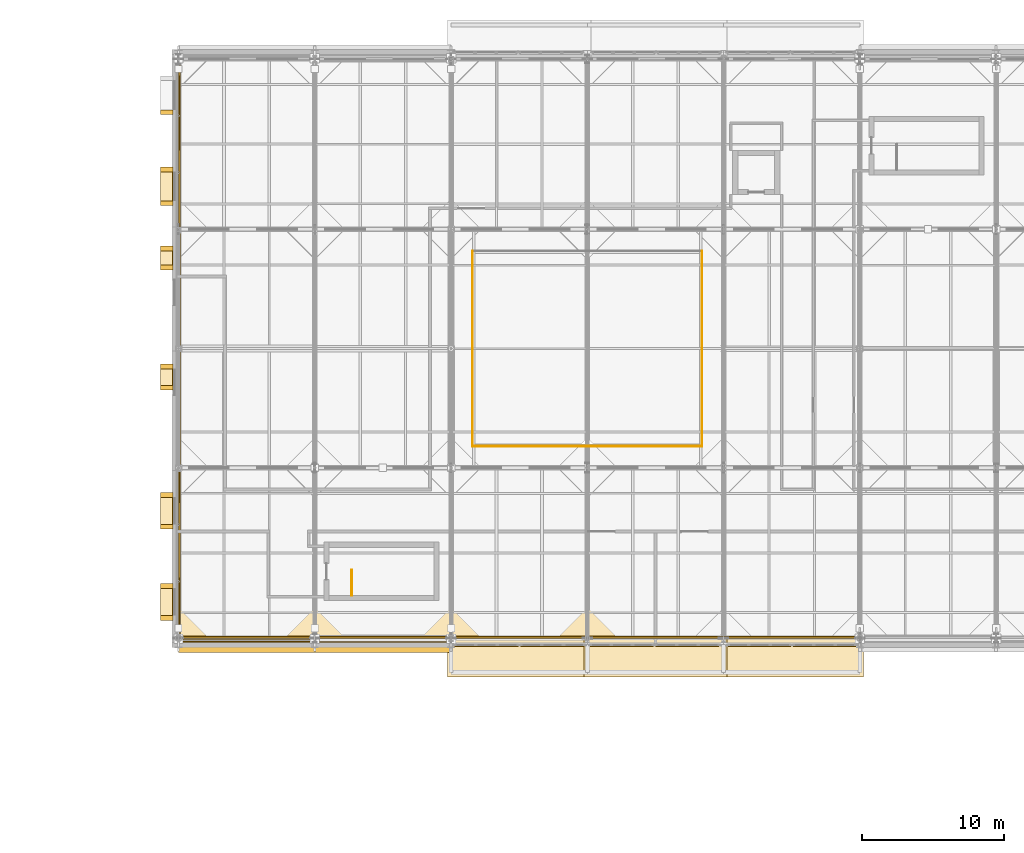
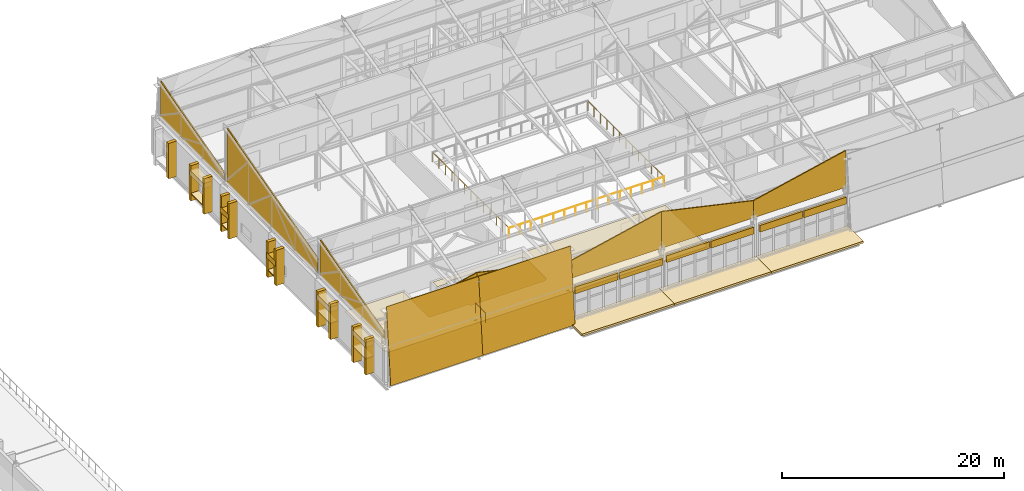
# One storey, part 87 of 89: 41 coverings, 5 railings.
"""IFC4 building model written with IfcOpenShell, lengths in metres."""

from ifc_helpers import new_model, si_unit, direction, frame, origin, origin_2d, place, context, subcontext, project, spatial, polyline, rectangle, circle, outline, extrude, material, layer, layer_set, type_object, element, save


model = new_model("IFC4")

# Units and contexts
model_context = context("Model", 3, precision=1e-05, world=origin(), true_north=direction((0.0, 1.0)))
body_context = subcontext(model_context, "Body", "Model", "MODEL_VIEW")
ifc_project = project(units=[si_unit("LENGTHUNIT", "METRE"), si_unit("AREAUNIT", "SQUARE_METRE"), si_unit("VOLUMEUNIT", "CUBIC_METRE"), si_unit("PLANEANGLEUNIT", "RADIAN"), si_unit("MASSUNIT", "GRAM", prefix="KILO")], contexts=[model_context])

# Site, building, storey
site_placement = place(None, origin())
site = spatial("IfcSite", under=ifc_project, at=site_placement, CompositionType="ELEMENT")
building_placement = place(site_placement, origin())
building = spatial("IfcBuilding", under=site, at=building_placement, Name="Zereglee Splitstone Museum", CompositionType="ELEMENT")
storey_placement = place(building_placement, frame((0.0, 0.0, 21.300048828125)))
storey = spatial("IfcBuildingStorey", under=building, at=storey_placement, Name="L04", CompositionType="ELEMENT", Elevation=21.300048828125)

# Coverings
ifc_material_1 = material(Name="Siberian larch acoustic timber ceiling", Category="wood")
ifc_layer_1 = layer(ifc_material_1, 0.06005859375)
ifc_layer_set_1 = layer_set([ifc_layer_1], Name="Siberian larch acoustic timber ceiling")
covering_type_1 = type_object("IfcCoveringType", Name="CLG-01", PredefinedType="CEILING", material=ifc_layer_set_1)
covering_1_placement = place(storey_placement, frame((0.0, 0.0, 2.77001953125)))
element("IfcCovering", 1, at=covering_1_placement, inside=storey, type_object=covering_type_1, Name="Acoustic Ceiling L04-055", PredefinedType="CEILING", context=body_context, shape_type="SweptSolid", body=[
    extrude(outline(polyline([(87.280029296875, 17.02001953125), (111.5, 17.02001953125), (111.5, 9.4599609375), (106.9580078125, 9.4599609375), (106.9580078125, 9.758056640625), (106.64208984375, 9.758056640625), (106.64208984375, 9.4599609375), (97.21484375, 9.4599609375), (97.21484375, 9.76806640625), (97.35791015625, 9.76806640625), (97.35791015625, 9.80810546875), (97.0419921875, 9.80810546875), (97.0419921875, 9.76806640625), (97.185302734375, 9.76806640625), (97.185302734375, 9.4599609375), (87.615966796875, 9.4599609375), (87.615966796875, 9.885986328125), (87.758056640625, 9.885986328125), (87.758056640625, 9.93310546875), (87.44189453125, 9.93310546875), (87.44189453125, 9.885986328125), (87.583984375, 9.885986328125), (87.583984375, 9.4599609375), (78.189697265625, 9.4599609375), (78.196533203125, 9.468505859375), (78.218505859375, 9.509521484375), (78.23193359375, 9.553955078125), (78.236572265625, 9.60009765625), (78.23193359375, 9.64599609375), (78.218505859375, 9.6904296875), (78.196533203125, 9.7314453125), (78.167236328125, 9.76708984375), (78.13134765625, 9.796630859375), (78.090576171875, 9.818603515625), (78.06005859375, 9.827880859375), (78.06005859375, 17.02001953125), (84.219970703125, 17.02001953125), (84.219970703125, 12.60009765625), (84.219970703125, 12.59912109375), (84.220703125, 12.583251953125), (84.220947265625, 12.581298828125), (84.223388671875, 12.56591796875), (84.2236328125, 12.56396484375), (84.2275390625, 12.548583984375), (84.22802734375, 12.546875), (84.2333984375, 12.531982421875), (84.234130859375, 12.5302734375), (84.24072265625, 12.51611328125), (84.24169921875, 12.514404296875), (84.249755859375, 12.500732421875), (84.2509765625, 12.499267578125), (84.26025390625, 12.486572265625), (84.261474609375, 12.485107421875), (84.27197265625, 12.473388671875), (84.2734375, 12.471923828125), (84.28515625, 12.46142578125), (84.28662109375, 12.460205078125), (84.29931640625, 12.450927734375), (84.30078125, 12.44970703125), (84.314208984375, 12.441650390625), (84.31591796875, 12.44091796875), (84.330078125, 12.43408203125), (84.33203125, 12.433349609375), (84.3466796875, 12.427978515625), (84.3486328125, 12.427490234375), (84.364013671875, 12.423583984375), (84.365966796875, 12.42333984375), (84.38134765625, 12.4208984375), (84.38330078125, 12.4208984375), (84.39892578125, 12.419921875), (84.39990234375, 12.419921875), (88.22119140625, 12.419921875), (88.2294921875, 12.402099609375), (88.250732421875, 12.36669921875), (88.275390625, 12.33349609375), (88.302978515625, 12.302978515625), (88.33349609375, 12.275390625), (88.36669921875, 12.250732421875), (88.402099609375, 12.2294921875), (88.439208984375, 12.2119140625), (88.47802734375, 12.197998046875), (88.51806640625, 12.18798828125), (88.558837890625, 12.181884765625), (88.60009765625, 12.179931640625), (96.0, 12.179931640625), (96.041259765625, 12.181884765625), (96.081787109375, 12.18798828125), (96.121826171875, 12.197998046875), (96.16064453125, 12.2119140625), (96.197998046875, 12.2294921875), (96.2333984375, 12.250732421875), (96.266357421875, 12.275390625), (96.297119140625, 12.302978515625), (96.32470703125, 12.33349609375), (96.34912109375, 12.36669921875), (96.370361328125, 12.402099609375), (96.387939453125, 12.439208984375), (96.40185546875, 12.47802734375), (96.411865234375, 12.51806640625), (96.41796875, 12.558837890625), (96.419921875, 12.60009765625), (96.419921875, 16.0), (96.41796875, 16.041259765625), (96.411865234375, 16.081787109375), (96.40185546875, 16.121826171875), (96.387939453125, 16.16064453125), (96.370361328125, 16.197998046875), (96.34912109375, 16.2333984375), (96.32470703125, 16.266357421875), (96.297119140625, 16.297119140625), (96.266357421875, 16.32470703125), (96.2333984375, 16.34912109375), (96.197998046875, 16.370361328125), (96.16064453125, 16.387939453125), (96.121826171875, 16.40185546875), (96.081787109375, 16.411865234375), (96.041259765625, 16.41796875), (96.0, 16.419921875), (88.60009765625, 16.419921875), (88.558837890625, 16.41796875), (88.51806640625, 16.411865234375), (88.47802734375, 16.40185546875), (88.439208984375, 16.387939453125), (88.402099609375, 16.370361328125), (88.36669921875, 16.34912109375), (88.33349609375, 16.32470703125), (88.302978515625, 16.297119140625), (88.275390625, 16.266357421875), (88.250732421875, 16.2333984375), (88.2294921875, 16.197998046875), (88.22119140625, 16.179931640625), (87.280029296875, 16.179931640625), (87.280029296875, 17.02001953125)])), origin(), (0.0, 0.0, 1.0), 0.059814453125),
])
ifc_material_2 = material(Name="Honed Gobi pale limestone stringcourse and soffit cladding", Category="masonry")
ifc_layer_2 = layer(ifc_material_2, 0.070068359375)
ifc_layer_set_2 = layer_set([ifc_layer_2], Name="Honed Gobi pale limestone stringcourse and soffit cladding")
covering_type_2 = type_object("IfcCoveringType", Name="CL-02", PredefinedType="CLADDING", material=ifc_layer_set_2)
for number, where, z_axis, x_axis, name in (
    (2, (99.696533203125, 9.1201171875, 2.804931640625), (0.0, 0.0, 1.0), (1.0, 0.0, 0.0), "Mughal Carved Clerestory Jaali Frieze RC4-CW-L04-122-1"),
    (3, (104.353515625, 9.1201171875, 2.784912109375), (0.0, 0.0, 1.0), (1.0, 0.0, 0.0), "Mughal Carved Clerestory Jaali Frieze RC4-CW-L04-122-2"),
):
    element("IfcCovering", number, at=place(storey_placement, frame(where, z_axis=z_axis, x_axis=x_axis)), inside=storey, type_object=covering_type_2, Name=name, PredefinedType="CLADDING", context=body_context, shape_type="SweptSolid", body=[
        extrude(rectangle(XDim=4.5, YDim=0.239990234375, at=origin_2d()), origin(), (0.0, 0.0, 1.0), 0.75),
    ])
for number, where, z_axis, x_axis, name in (
    (4, (109.227783203125, 9.1201171875, 2.925048828125), (0.0, 0.0, 1.0), (1.0, 0.0, 0.0), "Mughal Carved Clerestory Jaali Frieze RC4-CW-L04-123-1"),
    (5, (113.847412109375, 9.1201171875, 2.905029296875), (0.0, 0.0, 1.0), (1.0, 0.0, 0.0), "Mughal Carved Clerestory Jaali Frieze RC4-CW-L04-123-2"),
):
    element("IfcCovering", number, at=place(storey_placement, frame(where, z_axis=z_axis, x_axis=x_axis)), inside=storey, type_object=covering_type_2, Name=name, PredefinedType="CLADDING", context=body_context, shape_type="SweptSolid", body=[
        extrude(rectangle(XDim=4.4599609375, YDim=0.239990234375, at=origin_2d()), origin(), (0.0, 0.0, 1.0), 0.75),
    ])
for number, where, z_axis, x_axis, name in (
    (6, (118.93310546875, 9.1201171875, 2.864990234375), (0.0, 0.0, 1.0), (1.0, 0.0, 0.0), "Mughal Carved Clerestory Jaali Frieze RC4-CW-L04-124-1"),
    (7, (123.513427734375, 9.1201171875, 2.844970703125), (0.0, 0.0, 1.0), (1.0, 0.0, 0.0), "Mughal Carved Clerestory Jaali Frieze RC4-CW-L04-124-2"),
):
    element("IfcCovering", number, at=place(storey_placement, frame(where, z_axis=z_axis, x_axis=x_axis)), inside=storey, type_object=covering_type_2, Name=name, PredefinedType="CLADDING", context=body_context, shape_type="SweptSolid", body=[
        extrude(rectangle(XDim=4.419921875, YDim=0.239990234375, at=origin_2d()), origin(), (0.0, 0.0, 1.0), 0.75),
    ])
for number, where, z_axis, x_axis, name in (
    (8, (77.175048828125, 46.655029296875, 0.0), (0.0, 0.0, 1.0), (0.0, -1.0, 0.0), "Mughal Window Reveal Stone Pilaster L04-0147R"),
    (9, (77.175048828125, 42.625, 0.0), (0.0, 0.0, 1.0), (0.0, -1.0, 0.0), "Mughal Window Reveal Stone Pilaster L04-0148L"),
    (10, (77.175048828125, 40.235107421875, 0.0), (0.0, 0.0, 1.0), (0.0, -1.0, 0.0), "Mughal Window Reveal Stone Pilaster L04-0148R"),
):
    element("IfcCovering", number, at=place(storey_placement, frame(where, z_axis=z_axis, x_axis=x_axis)), inside=storey, type_object=covering_type_2, Name=name, PredefinedType="CLADDING", context=body_context, shape_type="SweptSolid", body=[
        extrude(rectangle(XDim=0.340087890625, YDim=0.860107421875, at=origin_2d()), origin(), (0.0, 0.0, 1.0), 3.89990234375),
    ])
covering_2_placement = place(storey_placement, frame((77.1650390625, 41.429931640625, 0.760009765625), z_axis=(0.0, 0.0, 1.0), x_axis=(0.0, -1.0, 0.0)))
element("IfcCovering", 11, at=covering_2_placement, inside=storey, type_object=covering_type_2, Name="Carved Limestone Window Sill L04-0148", PredefinedType="CLADDING", context=body_context, shape_type="SweptSolid", body=[
    extrude(rectangle(XDim=2.590087890625, YDim=0.840087890625, at=origin_2d()), origin(), (0.0, 0.0, 1.0), 0.1201171875),
])
for number, where, z_axis, x_axis, name in (
    (12, (77.175048828125, 37.06005859375, 0.0), (0.0, 0.0, 1.0), (0.0, -1.0, 0.0), "Mughal Window Reveal Stone Pilaster L04-0149L"),
    (13, (77.175048828125, 35.719970703125, 0.0), (0.0, 0.0, 1.0), (0.0, -1.0, 0.0), "Mughal Window Reveal Stone Pilaster L04-0149R"),
):
    element("IfcCovering", number, at=place(storey_placement, frame(where, z_axis=z_axis, x_axis=x_axis)), inside=storey, type_object=covering_type_2, Name=name, PredefinedType="CLADDING", context=body_context, shape_type="SweptSolid", body=[
        extrude(rectangle(XDim=0.340087890625, YDim=0.860107421875, at=origin_2d()), origin(), (0.0, 0.0, 1.0), 3.89990234375),
    ])
covering_3_placement = place(storey_placement, frame((77.1650390625, 36.389892578125, 0.760009765625), z_axis=(0.0, 0.0, 1.0), x_axis=(0.0, -1.0, 0.0)))
element("IfcCovering", 14, at=covering_3_placement, inside=storey, type_object=covering_type_2, Name="Carved Limestone Window Sill L04-0149", PredefinedType="CLADDING", context=body_context, shape_type="SweptSolid", body=[
    extrude(rectangle(XDim=1.5400390625, YDim=0.840087890625, at=origin_2d()), origin(), (0.0, 0.0, 1.0), 0.1201171875),
])
for number, where, z_axis, x_axis, name in (
    (15, (77.175048828125, 28.735107421875, 0.0), (0.0, 0.0, 1.0), (0.0, -1.0, 0.0), "Mughal Window Reveal Stone Pilaster L04-0150L"),
    (16, (77.175048828125, 27.2451171875, 0.0), (0.0, 0.0, 1.0), (0.0, -1.0, 0.0), "Mughal Window Reveal Stone Pilaster L04-0150R"),
):
    element("IfcCovering", number, at=place(storey_placement, frame(where, z_axis=z_axis, x_axis=x_axis)), inside=storey, type_object=covering_type_2, Name=name, PredefinedType="CLADDING", context=body_context, shape_type="SweptSolid", body=[
        extrude(rectangle(XDim=0.340087890625, YDim=0.860107421875, at=origin_2d()), origin(), (0.0, 0.0, 1.0), 3.89990234375),
    ])
covering_4_placement = place(storey_placement, frame((77.1650390625, 27.989990234375, 0.760009765625), z_axis=(0.0, 0.0, 1.0), x_axis=(0.0, -1.0, 0.0)))
element("IfcCovering", 17, at=covering_4_placement, inside=storey, type_object=covering_type_2, Name="Carved Limestone Window Sill L04-0150", PredefinedType="CLADDING", context=body_context, shape_type="SweptSolid", body=[
    extrude(rectangle(XDim=1.68994140625, YDim=0.840087890625, at=origin_2d()), origin(), (0.0, 0.0, 1.0), 0.1201171875),
])
for number, where, z_axis, x_axis, name in (
    (18, (77.175048828125, 19.68994140625, 0.0), (0.0, 0.0, 1.0), (0.0, -1.0, 0.0), "Mughal Window Reveal Stone Pilaster L04-0151L"),
    (19, (77.175048828125, 17.449951171875, 0.0), (0.0, 0.0, 1.0), (0.0, -1.0, 0.0), "Mughal Window Reveal Stone Pilaster L04-0151R"),
):
    element("IfcCovering", number, at=place(storey_placement, frame(where, z_axis=z_axis, x_axis=x_axis)), inside=storey, type_object=covering_type_2, Name=name, PredefinedType="CLADDING", context=body_context, shape_type="SweptSolid", body=[
        extrude(rectangle(XDim=0.340087890625, YDim=0.860107421875, at=origin_2d()), origin(), (0.0, 0.0, 1.0), 3.89990234375),
    ])
covering_5_placement = place(storey_placement, frame((77.1650390625, 18.570068359375, 1.659912109375), z_axis=(0.0, 0.0, 1.0), x_axis=(0.0, -1.0, 0.0)))
element("IfcCovering", 20, at=covering_5_placement, inside=storey, type_object=covering_type_2, Name="Carved Limestone Window Sill L04-0151", PredefinedType="CLADDING", context=body_context, shape_type="SweptSolid", body=[
    extrude(rectangle(XDim=2.43994140625, YDim=0.840087890625, at=origin_2d()), origin(), (0.0, 0.0, 1.0), 0.1201171875),
])
for number, where, z_axis, x_axis, name in (
    (21, (77.175048828125, 13.27001953125, 0.0), (0.0, 0.0, 1.0), (0.0, -1.0, 0.0), "Mughal Window Reveal Stone Pilaster L04-0152L"),
    (22, (77.175048828125, 11.030029296875, 0.0), (0.0, 0.0, 1.0), (0.0, -1.0, 0.0), "Mughal Window Reveal Stone Pilaster L04-0152R"),
):
    element("IfcCovering", number, at=place(storey_placement, frame(where, z_axis=z_axis, x_axis=x_axis)), inside=storey, type_object=covering_type_2, Name=name, PredefinedType="CLADDING", context=body_context, shape_type="SweptSolid", body=[
        extrude(rectangle(XDim=0.340087890625, YDim=0.860107421875, at=origin_2d()), origin(), (0.0, 0.0, 1.0), 3.89990234375),
    ])
covering_6_placement = place(storey_placement, frame((77.1650390625, 12.14990234375, 1.659912109375), z_axis=(0.0, 0.0, 1.0), x_axis=(0.0, -1.0, 0.0)))
element("IfcCovering", 23, at=covering_6_placement, inside=storey, type_object=covering_type_2, Name="Carved Limestone Window Sill L04-0152", PredefinedType="CLADDING", context=body_context, shape_type="SweptSolid", body=[
    extrude(rectangle(XDim=2.43994140625, YDim=0.840087890625, at=origin_2d()), origin(), (0.0, 0.0, 1.0), 0.1201171875),
])
ifc_material_3 = material(Name="Honed Khoroo red sandstone ventilated rainscreen", Category="masonry")
ifc_layer_3 = layer(ifc_material_3, 0.080078125)
ifc_layer_set_3 = layer_set([ifc_layer_3], Name="Honed Khoroo red sandstone ventilated rainscreen")
covering_type_3 = type_object("IfcCoveringType", Name="CL-01", PredefinedType="CLADDING", material=ifc_layer_set_3)
covering_7_placement = place(storey_placement, frame((77.1650390625, 41.429931640625, 2.760009765625), z_axis=(0.0, 0.0, 1.0), x_axis=(0.0, -1.0, 0.0)))
element("IfcCovering", 24, at=covering_7_placement, inside=storey, type_object=covering_type_3, Name="Pointed-Arch Mughal Window Hood L04-0148", PredefinedType="CLADDING", context=body_context, shape_type="SweptSolid", body=[
    extrude(rectangle(XDim=2.590087890625, YDim=0.860107421875, at=origin_2d()), origin(), (0.0, 0.0, 1.0), 0.580078125),
])
covering_8_placement = place(storey_placement, frame((77.1650390625, 36.389892578125, 2.059814453125), z_axis=(0.0, 0.0, 1.0), x_axis=(0.0, -1.0, 0.0)))
element("IfcCovering", 25, at=covering_8_placement, inside=storey, type_object=covering_type_3, Name="Pointed-Arch Mughal Window Hood L04-0149", PredefinedType="CLADDING", context=body_context, shape_type="SweptSolid", body=[
    extrude(rectangle(XDim=1.5400390625, YDim=0.860107421875, at=origin_2d()), origin(), (0.0, 0.0, 1.0), 0.580078125),
])
covering_9_placement = place(storey_placement, frame((77.1650390625, 27.989990234375, 2.059814453125), z_axis=(0.0, 0.0, 1.0), x_axis=(0.0, -1.0, 0.0)))
element("IfcCovering", 26, at=covering_9_placement, inside=storey, type_object=covering_type_3, Name="Pointed-Arch Mughal Window Hood L04-0150", PredefinedType="CLADDING", context=body_context, shape_type="SweptSolid", body=[
    extrude(rectangle(XDim=1.68994140625, YDim=0.860107421875, at=origin_2d()), origin(), (0.0, 0.0, 1.0), 0.580078125),
])
for number, where, z_axis, x_axis, name in (
    (27, (77.1650390625, 18.570068359375, 2.9599609375), (0.0, 0.0, 1.0), (0.0, -1.0, 0.0), "Pointed-Arch Mughal Window Hood L04-0151"),
    (28, (77.1650390625, 12.14990234375, 2.9599609375), (0.0, 0.0, 1.0), (0.0, -1.0, 0.0), "Pointed-Arch Mughal Window Hood L04-0152"),
):
    element("IfcCovering", number, at=place(storey_placement, frame(where, z_axis=z_axis, x_axis=x_axis)), inside=storey, type_object=covering_type_3, Name=name, PredefinedType="CLADDING", context=body_context, shape_type="SweptSolid", body=[
        extrude(rectangle(XDim=2.43994140625, YDim=0.860107421875, at=origin_2d()), origin(), (0.0, 0.0, 1.0), 0.580078125),
    ])
covering_10_placement = place(storey_placement, frame((78.0, 8.576904296875, -0.25), z_axis=(0.0, -0.995858590986, 0.090915712393), x_axis=(1.0, 0.0, 0.0)))
element("IfcCovering", 29, at=covering_10_placement, inside=storey, type_object=covering_type_3, Name="Split-Rock Continuous Inclined Facet FH-V2SW L04.1", PredefinedType="CLADDING", context=body_context, shape_type="SweptSolid", body=[
    extrude(outline(polyline([(0.0, 0.0), (9.60009765625, 0.0), (9.60009765625, 8.284308710771978), (0.0, 8.284308710771978), (0.0, 0.0)])), origin(), (0.0, 0.0, -1.0), 0.080078125),
])
covering_11_placement = place(storey_placement, frame((87.60009765625, 8.576904296875, -0.25), z_axis=(0.0, -0.995858590986, 0.090915712393), x_axis=(1.0, 0.0, 0.0)))
element("IfcCovering", 30, at=covering_11_placement, inside=storey, type_object=covering_type_3, Name="Split-Rock Continuous Inclined Facet FH-V2SW L04.2", PredefinedType="CLADDING", context=body_context, shape_type="SweptSolid", body=[
    extrude(outline(polyline([(0.0, 0.0), (9.599853515625, 0.0), (9.599853515625, 8.284308710771978), (0.0, 8.284308710771978), (0.0, 0.0)])), origin(), (0.0, 0.0, -1.0), 0.080078125),
])
covering_12_placement = place(storey_placement, frame((78.0, 9.60009765625, 4.199951171875), z_axis=(0.0, -1.0, 0.0), x_axis=(1.0, 0.0, 0.0)))
element("IfcCovering", 31, at=covering_12_placement, inside=storey, type_object=covering_type_3, Name="Sawtooth Split-Rock Cheek Cladding S Bay 1", PredefinedType="CLADDING", context=body_context, shape_type="SweptSolid", body=[
    extrude(outline(polyline([(0.0, 0.0), (9.60009765625, 0.0), (9.60009765625, 4.050048828125), (0.0, 1.89990234375), (0.0, 0.0)])), origin(), (0.0, 0.0, -1.0), 0.1201171875),
])
covering_13_placement = place(storey_placement, frame((87.60009765625, 9.60009765625, 4.199951171875), z_axis=(0.0, -1.0, 0.0), x_axis=(1.0, 0.0, 0.0)))
element("IfcCovering", 32, at=covering_13_placement, inside=storey, type_object=covering_type_3, Name="Sawtooth Split-Rock Cheek Cladding S Bay 2", PredefinedType="CLADDING", context=body_context, shape_type="SweptSolid", body=[
    extrude(outline(polyline([(0.0, 0.0), (9.599853515625, 0.0), (9.599853515625, 1.89990234375), (0.0, 4.050048828125), (0.0, 0.0)])), origin(), (0.0, 0.0, -1.0), 0.1201171875),
])
covering_14_placement = place(storey_placement, frame((97.199951171875, 9.60009765625, 4.199951171875), z_axis=(0.0, -1.0, 0.0), x_axis=(1.0, 0.0, 0.0)))
element("IfcCovering", 33, at=covering_14_placement, inside=storey, type_object=covering_type_3, Name="Sawtooth Split-Rock Cheek Cladding S Bay 3", PredefinedType="CLADDING", context=body_context, shape_type="SweptSolid", body=[
    extrude(outline(polyline([(0.0, 0.0), (9.60009765625, 0.0), (9.60009765625, 4.050048828125), (0.0, 1.89990234375), (0.0, 0.0)])), origin(), (0.0, 0.0, -1.0), 0.1201171875),
])
covering_15_placement = place(storey_placement, frame((106.800048828125, 9.60009765625, 4.199951171875), z_axis=(0.0, -1.0, 0.0), x_axis=(1.0, 0.0, 0.0)))
element("IfcCovering", 34, at=covering_15_placement, inside=storey, type_object=covering_type_3, Name="Sawtooth Split-Rock Cheek Cladding S Bay 4", PredefinedType="CLADDING", context=body_context, shape_type="SweptSolid", body=[
    extrude(outline(polyline([(0.0, 0.0), (9.599853515625, 0.0), (9.599853515625, 1.89990234375), (0.0, 4.050048828125), (0.0, 0.0)])), origin(), (0.0, 0.0, -1.0), 0.1201171875),
])
covering_16_placement = place(storey_placement, frame((116.39990234375, 9.60009765625, 4.199951171875), z_axis=(0.0, -1.0, 0.0), x_axis=(1.0, 0.0, 0.0)))
element("IfcCovering", 35, at=covering_16_placement, inside=storey, type_object=covering_type_3, Name="Sawtooth Split-Rock Cheek Cladding S Bay 5", PredefinedType="CLADDING", context=body_context, shape_type="SweptSolid", body=[
    extrude(outline(polyline([(0.0, 0.0), (9.60009765625, 0.0), (9.60009765625, 4.050048828125), (0.0, 1.89990234375), (0.0, 0.0)])), origin(), (0.0, 0.0, -1.0), 0.1201171875),
])
covering_17_placement = place(storey_placement, frame((78.0, 9.75, 4.919921875), z_axis=(-1.0, 0.0, 0.0), x_axis=(0.0, 0.963698337912, 0.266993470904)))
element("IfcCovering", 36, at=covering_17_placement, inside=storey, type_object=covering_type_3, Name="Sawtooth End Gable Split-Rock Cladding W-1", PredefinedType="CLADDING", context=body_context, shape_type="SweptSolid", body=[
    extrude(outline(polyline([(0.0, 0.0), (11.985128928570433, 4.440892098500626e-16), (10.938535381490345, 3.7776221956826017), (-0.19222747697677992, 0.6938345699469352), (0.0, 0.0)])), origin(), (0.0, 0.0, -1.0), 0.1201171875),
])
covering_18_placement = place(storey_placement, frame((78.0, 21.75, 5.719970703125), z_axis=(-1.0, 0.0, 0.0), x_axis=(0.0, 0.964149239833, 0.265360591139)))
element("IfcCovering", 37, at=covering_18_placement, inside=storey, type_object=covering_type_3, Name="Sawtooth End Gable Split-Rock Cladding W-2", PredefinedType="CLADDING", context=body_context, shape_type="SweptSolid", body=[
    extrude(outline(polyline([(0.0, 0.0), (16.95805688659263, 0.0), (15.360580945110033, 5.804197254833416), (-0.403353281355773, 1.4655256755857267), (0.0, 0.0)])), origin(), (0.0, 0.0, -1.0), 0.1201171875),
])
covering_19_placement = place(storey_placement, frame((78.0, 38.550048828125, 4.919921875), z_axis=(-1.0, 0.0, 0.0), x_axis=(0.0, 0.963698337912, 0.266993470904)))
element("IfcCovering", 38, at=covering_19_placement, inside=storey, type_object=covering_type_3, Name="Sawtooth End Gable Split-Rock Cladding W-3", PredefinedType="CLADDING", context=body_context, shape_type="SweptSolid", body=[
    extrude(outline(polyline([(0.0, 0.0), (11.985128928570433, 4.440892098500626e-16), (10.938535381490345, 3.7776221956826017), (-0.19222747697677992, 0.6938345699469352), (0.0, 0.0)])), origin(), (0.0, 0.0, -1.0), 0.1201171875),
])

# Railings
ifc_material_4 = material(Name="Glazed laminated glass and bronze balustrade", Category="glass")
railing_type_1 = type_object("IfcRailingType", Name="GR-02", PredefinedType="BALUSTRADE", material=ifc_material_4)
railing_1_placement = place(storey_placement, frame((98.719970703125, 23.1201171875, 0.0)))
element("IfcRailing", 39, at=railing_1_placement, inside=storey, type_object=railing_type_1, Name="Atrium Glazed Balustrade L04 Side 1", PredefinedType="BALUSTRADE", context=body_context, shape_type="SweptSolid", body=[
    extrude(circle(Radius=0.02392578125, at=origin_2d()), frame((0.0, 0.0, 1.076416015625), z_axis=(1.0, 0.0, 0.0), x_axis=(0.0, 1.0, 0.0)), (0.0, 0.0, 1.0), 16.159912109375),
    extrude(circle(Radius=0.02099609375, at=origin_2d()), origin(), (0.0, 0.0, 1.0), 1.052001953125),
    extrude(circle(Radius=0.02099609375, at=origin_2d()), frame((1.154296875, 0.0, 0.0)), (0.0, 0.0, 1.0), 1.052001953125),
    extrude(circle(Radius=0.02099609375, at=origin_2d()), frame((2.30859375, 0.0, 0.0)), (0.0, 0.0, 1.0), 1.052001953125),
    extrude(circle(Radius=0.02099609375, at=origin_2d()), frame((3.462890625, 0.0, 0.0)), (0.0, 0.0, 1.0), 1.052001953125),
    extrude(circle(Radius=0.02099609375, at=origin_2d()), frame((4.6171875, 0.0, 0.0)), (0.0, 0.0, 1.0), 1.052001953125),
    extrude(circle(Radius=0.02099609375, at=origin_2d()), frame((5.771484375, 0.0, 0.0)), (0.0, 0.0, 1.0), 1.052001953125),
    extrude(circle(Radius=0.02099609375, at=origin_2d()), frame((6.92578125, 0.0, 0.0)), (0.0, 0.0, 1.0), 1.052001953125),
    extrude(circle(Radius=0.02099609375, at=origin_2d()), frame((8.080078125, 0.0, 0.0)), (0.0, 0.0, 1.0), 1.052001953125),
    extrude(circle(Radius=0.02099609375, at=origin_2d()), frame((9.234130859375, 0.0, 0.0)), (0.0, 0.0, 1.0), 1.052001953125),
    extrude(circle(Radius=0.02099609375, at=origin_2d()), frame((10.388427734375, 0.0, 0.0)), (0.0, 0.0, 1.0), 1.052001953125),
    extrude(circle(Radius=0.02099609375, at=origin_2d()), frame((11.542724609375, 0.0, 0.0)), (0.0, 0.0, 1.0), 1.052001953125),
    extrude(circle(Radius=0.02099609375, at=origin_2d()), frame((12.697021484375, 0.0, 0.0)), (0.0, 0.0, 1.0), 1.052001953125),
    extrude(circle(Radius=0.02099609375, at=origin_2d()), frame((13.851318359375, 0.0, 0.0)), (0.0, 0.0, 1.0), 1.052001953125),
    extrude(circle(Radius=0.02099609375, at=origin_2d()), frame((15.005615234375, 0.0, 0.0)), (0.0, 0.0, 1.0), 1.052001953125),
    extrude(circle(Radius=0.02099609375, at=origin_2d()), frame((16.159912109375, 0.0, 0.0)), (0.0, 0.0, 1.0), 1.052001953125),
])
railing_2_placement = place(storey_placement, frame((114.8798828125, 23.1201171875, 0.0)))
element("IfcRailing", 40, at=railing_2_placement, inside=storey, type_object=railing_type_1, Name="Atrium Glazed Balustrade L04 Side 2", PredefinedType="BALUSTRADE", context=body_context, shape_type="SweptSolid", body=[
    extrude(circle(Radius=0.02392578125, at=origin_2d()), frame((0.0, 0.0, 1.076416015625), z_axis=(0.0, 1.0, 0.0), x_axis=(-1.0, 0.0, 0.0)), (0.0, 0.0, 1.0), 13.759765625),
    extrude(circle(Radius=0.02099609375, at=origin_2d()), origin(), (0.0, 0.0, 1.0), 1.052001953125),
    extrude(circle(Radius=0.02099609375, at=origin_2d()), frame((0.0, 1.146728515625, 0.0)), (0.0, 0.0, 1.0), 1.052001953125),
    extrude(circle(Radius=0.02099609375, at=origin_2d()), frame((0.0, 2.293212890625, 0.0)), (0.0, 0.0, 1.0), 1.052001953125),
    extrude(circle(Radius=0.02099609375, at=origin_2d()), frame((0.0, 3.43994140625, 0.0)), (0.0, 0.0, 1.0), 1.052001953125),
    extrude(circle(Radius=0.02099609375, at=origin_2d()), frame((0.0, 4.586669921875, 0.0)), (0.0, 0.0, 1.0), 1.052001953125),
    extrude(circle(Radius=0.02099609375, at=origin_2d()), frame((0.0, 5.733154296875, 0.0)), (0.0, 0.0, 1.0), 1.052001953125),
    extrude(circle(Radius=0.02099609375, at=origin_2d()), frame((0.0, 6.8798828125, 0.0)), (0.0, 0.0, 1.0), 1.052001953125),
    extrude(circle(Radius=0.02099609375, at=origin_2d()), frame((0.0, 8.026611328125, 0.0)), (0.0, 0.0, 1.0), 1.052001953125),
    extrude(circle(Radius=0.02099609375, at=origin_2d()), frame((0.0, 9.173095703125, 0.0)), (0.0, 0.0, 1.0), 1.052001953125),
    extrude(circle(Radius=0.02099609375, at=origin_2d()), frame((0.0, 10.31982421875, 0.0)), (0.0, 0.0, 1.0), 1.052001953125),
    extrude(circle(Radius=0.02099609375, at=origin_2d()), frame((0.0, 11.466552734375, 0.0)), (0.0, 0.0, 1.0), 1.052001953125),
    extrude(circle(Radius=0.02099609375, at=origin_2d()), frame((0.0, 12.613037109375, 0.0)), (0.0, 0.0, 1.0), 1.052001953125),
    extrude(circle(Radius=0.02099609375, at=origin_2d()), frame((0.0, 13.759765625, 0.0)), (0.0, 0.0, 1.0), 1.052001953125),
])
railing_3_placement = place(storey_placement, frame((98.719970703125, 36.8798828125, 0.0)))
element("IfcRailing", 41, at=railing_3_placement, inside=storey, type_object=railing_type_1, Name="Atrium Glazed Balustrade L04 Side 4", PredefinedType="BALUSTRADE", context=body_context, shape_type="SweptSolid", body=[
    extrude(circle(Radius=0.02392578125, at=origin_2d()), frame((0.0, 0.0, 1.076416015625), z_axis=(0.0, -1.0, 0.0), x_axis=(1.0, 0.0, 0.0)), (0.0, 0.0, 1.0), 13.759765625),
    extrude(circle(Radius=0.02099609375, at=origin_2d()), origin(), (0.0, 0.0, 1.0), 1.052001953125),
    extrude(circle(Radius=0.02099609375, at=origin_2d()), frame((0.0, -1.146728515625, 0.0)), (0.0, 0.0, 1.0), 1.052001953125),
    extrude(circle(Radius=0.02099609375, at=origin_2d()), frame((0.0, -2.293212890625, 0.0)), (0.0, 0.0, 1.0), 1.052001953125),
    extrude(circle(Radius=0.02099609375, at=origin_2d()), frame((0.0, -3.43994140625, 0.0)), (0.0, 0.0, 1.0), 1.052001953125),
    extrude(circle(Radius=0.02099609375, at=origin_2d()), frame((0.0, -4.586669921875, 0.0)), (0.0, 0.0, 1.0), 1.052001953125),
    extrude(circle(Radius=0.02099609375, at=origin_2d()), frame((0.0, -5.733154296875, 0.0)), (0.0, 0.0, 1.0), 1.052001953125),
    extrude(circle(Radius=0.02099609375, at=origin_2d()), frame((0.0, -6.8798828125, 0.0)), (0.0, 0.0, 1.0), 1.052001953125),
    extrude(circle(Radius=0.02099609375, at=origin_2d()), frame((0.0, -8.026611328125, 0.0)), (0.0, 0.0, 1.0), 1.052001953125),
    extrude(circle(Radius=0.02099609375, at=origin_2d()), frame((0.0, -9.173095703125, 0.0)), (0.0, 0.0, 1.0), 1.052001953125),
    extrude(circle(Radius=0.02099609375, at=origin_2d()), frame((0.0, -10.31982421875, 0.0)), (0.0, 0.0, 1.0), 1.052001953125),
    extrude(circle(Radius=0.02099609375, at=origin_2d()), frame((0.0, -11.466552734375, 0.0)), (0.0, 0.0, 1.0), 1.052001953125),
    extrude(circle(Radius=0.02099609375, at=origin_2d()), frame((0.0, -12.613037109375, 0.0)), (0.0, 0.0, 1.0), 1.052001953125),
    extrude(circle(Radius=0.02099609375, at=origin_2d()), frame((0.0, -13.759765625, 0.0)), (0.0, 0.0, 1.0), 1.052001953125),
])
ifc_material_5 = material(Name="Painted steel S355J2 post-and-baluster guard", Category="steel")
railing_type_2 = type_object("IfcRailingType", Name="GR-03", PredefinedType="BALUSTRADE", material=ifc_material_5)
railing_4_placement = place(storey_placement, frame((90.199951171875, 12.60009765625, 0.0)))
element("IfcRailing", 42, at=railing_4_placement, inside=storey, type_object=railing_type_2, Name="L04 ST-06 top well guard 1", PredefinedType="BALUSTRADE", context=body_context, shape_type="SweptSolid", body=[
    extrude(circle(Radius=0.02392578125, at=origin_2d()), frame((0.0, 0.0, 1.076416015625), z_axis=(0.0, 1.0, 0.0), x_axis=(-1.0, 0.0, 0.0)), (0.0, 0.0, 1.0), 1.7998046875),
    extrude(circle(Radius=0.02099609375, at=origin_2d()), origin(), (0.0, 0.0, 1.0), 1.052001953125),
    extrude(circle(Radius=0.02099609375, at=origin_2d()), frame((0.0, 0.89990234375, 0.0)), (0.0, 0.0, 1.0), 1.052001953125),
    extrude(circle(Radius=0.02099609375, at=origin_2d()), frame((0.0, 1.7998046875, 0.0)), (0.0, 0.0, 1.0), 1.052001953125),
])
railing_5_placement = place(storey_placement, frame((90.2099609375, 12.6201171875, 0.0)))
element("IfcRailing", 43, at=railing_5_placement, inside=storey, type_object=railing_type_2, Name="Stair Top-Floor Well Guard ST-06", PredefinedType="BALUSTRADE", context=body_context, shape_type="SweptSolid", body=[
    extrude(circle(Radius=0.02392578125, at=origin_2d()), frame((0.0, 0.0, 1.076416015625), z_axis=(0.0, 1.0, 0.0), x_axis=(-1.0, 0.0, 0.0)), (0.0, 0.0, 1.0), 1.77978515625),
    extrude(circle(Radius=0.02099609375, at=origin_2d()), origin(), (0.0, 0.0, 1.0), 1.052001953125),
    extrude(circle(Radius=0.02099609375, at=origin_2d()), frame((0.0, 0.889892578125, 0.0)), (0.0, 0.0, 1.0), 1.052001953125),
    extrude(circle(Radius=0.02099609375, at=origin_2d()), frame((0.0, 1.77978515625, 0.0)), (0.0, 0.0, 1.0), 1.052001953125),
])

# Coverings
ifc_material_6 = material(Name="Honed Khoroo red sandstone chhajja eave coping", Category="masonry")
ifc_layer_4 = layer(ifc_material_6, 0.110107421875)
ifc_layer_set_4 = layer_set([ifc_layer_4], Name="Honed Khoroo red sandstone chhajja eave coping")
covering_type_4 = type_object("IfcCoveringType", Name="RF-C2", PredefinedType="ROOFING", material=ifc_layer_set_4)
covering_20_placement = place(storey_placement, frame((0.0, 0.0, -0.35498046875)))
element("IfcCovering", 44, at=covering_20_placement, inside=storey, type_object=covering_type_4, Name="Mughal Pishtaq Carved Cornice Deck PSQ-ATRS-1", PredefinedType="ROOFING", context=body_context, shape_type="SweptSolid", body=[
    extrude(outline(polyline([(96.949951171875, 6.85009765625), (107.050048828125, 6.85009765625), (107.050048828125, 9.64990234375), (96.949951171875, 9.64990234375), (96.949951171875, 6.85009765625)])), origin(), (0.0, 0.0, 1.0), 0.219970703125),
])
covering_21_placement = place(storey_placement, frame((0.0, 0.0, -0.35498046875)))
element("IfcCovering", 45, at=covering_21_placement, inside=storey, type_object=covering_type_4, Name="Mughal Pishtaq Carved Cornice Deck PSQ-ATRS-2", PredefinedType="ROOFING", context=body_context, shape_type="SweptSolid", body=[
    extrude(outline(polyline([(106.550048828125, 6.85009765625), (116.64990234375, 6.85009765625), (116.64990234375, 9.64990234375), (106.550048828125, 9.64990234375), (106.550048828125, 6.85009765625)])), origin(), (0.0, 0.0, 1.0), 0.219970703125),
])
covering_22_placement = place(storey_placement, frame((0.0, 0.0, -0.35498046875)))
element("IfcCovering", 46, at=covering_22_placement, inside=storey, type_object=covering_type_4, Name="Mughal Pishtaq Carved Cornice Deck PSQ-ATRS-3", PredefinedType="ROOFING", context=body_context, shape_type="SweptSolid", body=[
    extrude(outline(polyline([(116.14990234375, 6.85009765625), (126.25, 6.85009765625), (126.25, 9.64990234375), (116.14990234375, 9.64990234375), (116.14990234375, 6.85009765625)])), origin(), (0.0, 0.0, 1.0), 0.219970703125),
])

save(model, "model.ifc")
